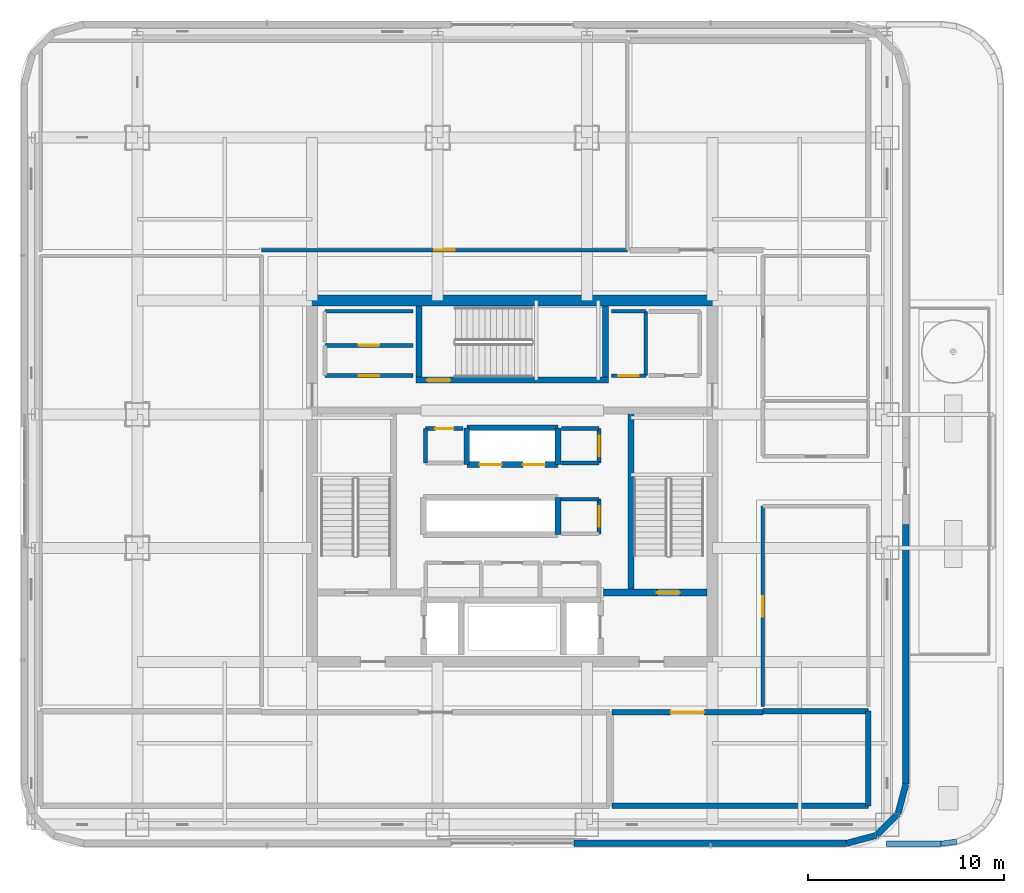
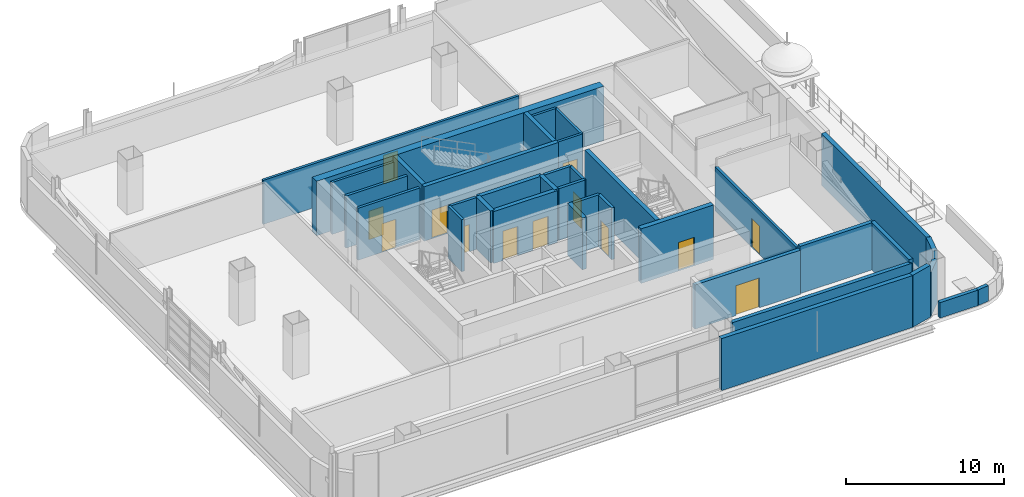
# One storey, part 13 of 31: 37 walls, 13 doors, 13 openings.
"""IFC4 building model written with IfcOpenShell, lengths in metres."""

from ifc_helpers import new_model, si_unit, direction, frame, frame_2d, origin, place, context, subcontext, project, spatial, rectangle, extrude, material, layer, layer_set, type_object, element, fill, save


model = new_model("IFC4")

# Units and contexts
model_context = context("Model", 3, precision=1e-05, world=origin(), true_north=direction((0.0, 1.0)))
body_context = subcontext(model_context, "Body", "Model", "MODEL_VIEW")
ifc_project = project(units=[si_unit("LENGTHUNIT", "METRE"), si_unit("AREAUNIT", "SQUARE_METRE"), si_unit("VOLUMEUNIT", "CUBIC_METRE"), si_unit("PLANEANGLEUNIT", "RADIAN"), si_unit("MASSUNIT", "GRAM", prefix="KILO")], contexts=[model_context])

# Site, building, storey
site_placement = place(None, origin())
site = spatial("IfcSite", under=ifc_project, at=site_placement, CompositionType="ELEMENT")
building_placement = place(site_placement, origin())
building = spatial("IfcBuilding", under=site, at=building_placement, Name="Punatoya Terracotta Tower", CompositionType="ELEMENT")
storey_placement = place(building_placement, frame((0.0, 0.0, 283.800048828125)))
storey = spatial("IfcBuildingStorey", under=building, at=storey_placement, Name="L67", CompositionType="ELEMENT", Elevation=283.800048828125)

# Walls
ifc_material_1 = material(Name="Concrete C40/50", Category="concrete")
ifc_layer_1 = layer(ifc_material_1, 0.280029296875)
ifc_layer_set_1 = layer_set([ifc_layer_1], Name="Concrete C40/50")
wall_type_1 = type_object("IfcWallType", Name="WL-AUD-280", PredefinedType="SOLIDWALL", material=ifc_layer_set_1)
wall_1_placement = place(storey_placement, frame((12.77001953125, -11.7099609375, 0.0), z_axis=(0.0, 0.0, 1.0), x_axis=(1.0, 0.0, 0.0)))
element("IfcWall", 1, at=wall_1_placement, inside=storey, type_object=wall_type_1, Name="L67 Executive Bistro Lounge Partition 33", PredefinedType="SOLIDWALL", context=body_context, shape_type="SweptSolid", body=[
    extrude(rectangle(XDim=5.369873046875, YDim=0.280029296875, at=frame_2d((2.68505859375, 0.0))), origin(), (0.0, 0.0, 1.0), 3.634033203125),
])
wall_2_placement = place(storey_placement, frame((18.139892578125, -11.7099609375, 0.0), z_axis=(0.0, 0.0, 1.0), x_axis=(0.0, -1.0, 0.0)))
element("IfcWall", 2, at=wall_2_placement, inside=storey, type_object=wall_type_1, Name="L67 Executive Bistro Lounge Partition 34", PredefinedType="SOLIDWALL", context=body_context, shape_type="SweptSolid", body=[
    extrude(rectangle(XDim=4.830078125, YDim=0.280029296875, at=frame_2d((2.4150390625, 0.0))), origin(), (0.0, 0.0, 1.0), 3.634033203125),
])
wall_3_placement = place(storey_placement, frame((18.139892578125, -16.5400390625, 0.0), z_axis=(0.0, 0.0, 1.0), x_axis=(-1.0, 0.0, 0.0)))
element("IfcWall", 3, at=wall_3_placement, inside=storey, type_object=wall_type_1, Name="L67 Executive Bistro Lounge Partition 35", PredefinedType="SOLIDWALL", context=body_context, shape_type="SweptSolid", body=[
    extrude(rectangle(XDim=13.07177734375, YDim=0.280029296875, at=frame_2d((6.535888671875, 0.0))), origin(), (0.0, 0.0, 1.0), 3.39404296875),
])

# Wall, opening, door
wall_4_placement = place(storey_placement, frame((5.068115234375, -11.77001953125, 0.0), z_axis=(0.0, 0.0, 1.0), x_axis=(1.0, 0.0, 0.0)))
wall_4 = element("IfcWall", 4, at=wall_4_placement, inside=storey, type_object=wall_type_1, Name="L67 Executive Bistro Lounge Partition 36", PredefinedType="SOLIDWALL", context=body_context, shape_type="SweptSolid", body=[
    extrude(rectangle(XDim=7.701904296875, YDim=0.280029296875, at=frame_2d((3.85107421875, 0.0))), origin(), (0.0, 0.0, 1.0), 3.39404296875),
])
opening_1_placement = place(wall_4_placement, frame((3.0009765625, 0.0, 0.0)))
opening_1 = element("IfcOpeningElement", 5, at=opening_1_placement, cuts=wall_4, Name="Opening FD-D1", PredefinedType="OPENING", context=body_context, shape_type="SweptSolid", body=[
    extrude(rectangle(XDim=1.699951171875, YDim=2.300048828125, at=frame_2d((0.85009765625, 1.14990234375))), frame((0.0, 0.14990234375, 0.0), z_axis=(0.0, -1.0, 0.0), x_axis=(1.0, 0.0, 0.0)), (0.0, 0.0, 1.0), 0.300048828125),
])
ifc_material_2 = material(Name="Timber Teak Veneer Fire Leaf", Category="wood")
door_type_1 = type_object("IfcDoorType", Name="DR-DIN-1700", OperationType="NOTDEFINED", PredefinedType="DOOR", material=ifc_material_2)
door_1_placement = place(opening_1_placement, origin())
door_1 = element("IfcDoor", 6, at=door_1_placement, inside=storey, type_object=door_type_1, Name="L67 Executive Bistro Lounge Fire Door", OperationType="DOUBLE_DOOR_SINGLE_SWING", OverallHeight=2.300048828125, OverallWidth=1.699951171875, PredefinedType="DOOR", context=body_context, shape_type="SweptSolid", body=[
    extrude(rectangle(XDim=1.699951171875, YDim=2.300048828125, at=frame_2d((0.85009765625, 1.14990234375))), frame((0.0, 0.02490234375, 0.0), z_axis=(0.0, -1.0, 0.0), x_axis=(1.0, 0.0, 0.0)), (0.0, 0.0, 1.0), 0.050048828125),
])
fill(opening_1, door_1)

# Walls
ifc_material_3 = material(Name="Concrete C50/60", Category="concrete")
ifc_layer_2 = layer(ifc_material_3, 0.550048828125)
ifc_layer_set_2 = layer_set([ifc_layer_2], Name="Concrete C50/60")
wall_type_2 = type_object("IfcWallType", Name="WL-COR-550", PredefinedType="SHEAR", material=ifc_layer_set_2)
wall_5_placement = place(storey_placement, frame((-10.47509765625, 9.199951171875, 0.0), z_axis=(0.0, 0.0, 1.0), x_axis=(1.0, 0.0, 0.0)))
element("IfcWall", 7, at=wall_5_placement, inside=storey, type_object=wall_type_2, Name="L67 Core Shear Wall N", PredefinedType="SHEAR", context=body_context, shape_type="SweptSolid", body=[
    extrude(rectangle(XDim=20.9501953125, YDim=0.550048828125, at=frame_2d((10.47509765625, 0.0))), origin(), (0.0, 0.0, 1.0), 4.199951171875),
])
ifc_material_4 = material(Name="Gypsum Fireboard + Steel Stud", Category="steel")
ifc_layer_3 = layer(ifc_material_4, 0.179931640625)
ifc_layer_set_3 = layer_set([ifc_layer_3], Name="Gypsum Fireboard + Steel Stud")
wall_type_3 = type_object("IfcWallType", Name="WL-CORR-180", PredefinedType="PARTITIONING", material=ifc_layer_set_3)
wall_6_placement = place(storey_placement, frame((-5.050048828125, 8.64990234375, 0.0), z_axis=(0.0, 0.0, 1.0), x_axis=(-1.0, 0.0, 0.0)))
element("IfcWall", 8, at=wall_6_placement, inside=storey, type_object=wall_type_3, Name="L67 West Core Copy Room Partition 20", PredefinedType="PARTITIONING", context=body_context, shape_type="SweptSolid", body=[
    extrude(rectangle(XDim=4.5, YDim=0.179931640625, at=frame_2d((2.25, 0.0))), origin(), (0.0, 0.0, 1.0), 4.0),
])
wall_7_placement = place(storey_placement, frame((6.800048828125, 5.3798828125, 0.0), z_axis=(0.0, 0.0, 1.0), x_axis=(0.0, 1.0, 0.0)))
element("IfcWall", 9, at=wall_7_placement, inside=storey, type_object=wall_type_3, Name="L67 East Core Focus Office Partition 22", PredefinedType="PARTITIONING", context=body_context, shape_type="SweptSolid", body=[
    extrude(rectangle(XDim=3.27001953125, YDim=0.179931640625, at=frame_2d((1.635009765625, 0.0))), origin(), (0.0, 0.0, 1.0), 4.0),
])
wall_8_placement = place(storey_placement, frame((6.800048828125, 8.64990234375, 0.0), z_axis=(0.0, 0.0, 1.0), x_axis=(-1.0, 0.0, 0.0)))
element("IfcWall", 10, at=wall_8_placement, inside=storey, type_object=wall_type_3, Name="L67 East Core Focus Office Partition 23", PredefinedType="PARTITIONING", context=body_context, shape_type="SweptSolid", body=[
    extrude(rectangle(XDim=1.75, YDim=0.179931640625, at=frame_2d((0.875, 0.0))), origin(), (0.0, 0.0, 1.0), 4.0),
])

# Wall, opening, door
wall_9_placement = place(storey_placement, frame((5.050048828125, 5.3798828125, 0.0), z_axis=(0.0, 0.0, 1.0), x_axis=(1.0, 0.0, 0.0)))
wall_9 = element("IfcWall", 11, at=wall_9_placement, inside=storey, type_object=wall_type_3, Name="L67 East Core Focus Office Partition 24", PredefinedType="PARTITIONING", context=body_context, shape_type="SweptSolid", body=[
    extrude(rectangle(XDim=1.75, YDim=0.179931640625, at=frame_2d((0.875, 0.0))), origin(), (0.0, 0.0, 1.0), 4.0),
])
opening_2_placement = place(wall_9_placement, frame((0.35009765625, 0.0, 0.0)))
opening_2 = element("IfcOpeningElement", 12, at=opening_2_placement, cuts=wall_9, Name="Opening OD-01", PredefinedType="OPENING", context=body_context, shape_type="SweptSolid", body=[
    extrude(rectangle(XDim=1.050048828125, YDim=2.199951171875, at=frame_2d((0.52490234375, 1.10009765625))), frame((0.0, 0.099853515625, 0.0), z_axis=(0.0, -1.0, 0.0), x_axis=(1.0, 0.0, 0.0)), (0.0, 0.0, 1.0), 0.199951171875),
])
ifc_material_5 = material(Name="Bengal Teak Solid-Core Leaf")
door_type_2 = type_object("IfcDoorType", Name="DR-OFF-1050", OperationType="NOTDEFINED", PredefinedType="DOOR", material=ifc_material_5)
door_2_placement = place(opening_2_placement, origin())
door_2 = element("IfcDoor", 13, at=door_2_placement, inside=storey, type_object=door_type_2, Name="L67 East Focus Office Door", OperationType="SINGLE_SWING_LEFT", OverallHeight=2.199951171875, OverallWidth=1.050048828125, PredefinedType="DOOR", context=body_context, shape_type="SweptSolid", body=[
    extrude(rectangle(XDim=1.050048828125, YDim=2.199951171875, at=frame_2d((0.52490234375, 1.10009765625))), frame((0.0, 0.02490234375, 0.0), z_axis=(0.0, -1.0, 0.0), x_axis=(1.0, 0.0, 0.0)), (0.0, 0.0, 1.0), 0.050048828125),
])
fill(opening_2, door_2)

wall_10_placement = place(storey_placement, frame((12.77001953125, -11.489990234375, 0.0), z_axis=(0.0, 0.0, 1.0), x_axis=(0.0, 1.0, 0.0)))
wall_10 = element("IfcWall", 14, at=wall_10_placement, inside=storey, type_object=wall_type_3, Name="L67 Catering Tea Pantry Partition 37", PredefinedType="PARTITIONING", context=body_context, shape_type="SweptSolid", body=[
    extrude(rectangle(XDim=10.219970703125, YDim=0.179931640625, at=frame_2d((5.10986328125, 0.0))), origin(), (0.0, 0.0, 1.0), 3.39404296875),
])
opening_3_placement = place(wall_10_placement, frame((4.5849609375, 0.0, 0.0)))
opening_3 = element("IfcOpeningElement", 15, at=opening_3_placement, cuts=wall_10, Name="Opening OD-01", PredefinedType="OPENING", context=body_context, shape_type="SweptSolid", body=[
    extrude(rectangle(XDim=1.050048828125, YDim=2.199951171875, at=frame_2d((0.52490234375, 1.10009765625))), frame((0.0, 0.099853515625, 0.0), z_axis=(0.0, -1.0, 0.0), x_axis=(1.0, 0.0, 0.0)), (0.0, 0.0, 1.0), 0.199951171875),
])
door_3_placement = place(opening_3_placement, origin())
door_3 = element("IfcDoor", 16, at=door_3_placement, inside=storey, type_object=door_type_2, Name="L67 Catering Tea Pantry Door", OperationType="SINGLE_SWING_LEFT", OverallHeight=2.199951171875, OverallWidth=1.050048828125, PredefinedType="DOOR", context=body_context, shape_type="SweptSolid", body=[
    extrude(rectangle(XDim=1.050048828125, YDim=2.199951171875, at=frame_2d((0.52490234375, 1.10009765625))), frame((0.0, 0.02490234375, 0.0), z_axis=(0.0, -1.0, 0.0), x_axis=(1.0, 0.0, 0.0)), (0.0, 0.0, 1.0), 0.050048828125),
])
fill(opening_3, door_3)

wall_11_placement = place(storey_placement, frame((5.8740234375, 11.77001953125, 0.0), z_axis=(0.0, 0.0, 1.0), x_axis=(-1.0, 0.0, 0.0)))
wall_11 = element("IfcWall", 17, at=wall_11_placement, inside=storey, type_object=wall_type_3, Name="L67 Barista Espresso Pantry Partition 51", PredefinedType="PARTITIONING", context=body_context, shape_type="SweptSolid", body=[
    extrude(rectangle(XDim=18.64404296875, YDim=0.179931640625, at=frame_2d((9.322021484375, 0.0))), origin(), (0.0, 0.0, 1.0), 3.39404296875),
])
opening_4_placement = place(wall_11_placement, frame((8.797119140625, 0.0, 0.0)))
opening_4 = element("IfcOpeningElement", 18, at=opening_4_placement, cuts=wall_11, Name="Opening OD-01", PredefinedType="OPENING", context=body_context, shape_type="SweptSolid", body=[
    extrude(rectangle(XDim=1.050048828125, YDim=2.199951171875, at=frame_2d((0.52490234375, 1.10009765625))), frame((0.0, 0.099853515625, 0.0), z_axis=(0.0, -1.0, 0.0), x_axis=(1.0, 0.0, 0.0)), (0.0, 0.0, 1.0), 0.199951171875),
])
door_4_placement = place(opening_4_placement, origin())
door_4 = element("IfcDoor", 19, at=door_4_placement, inside=storey, type_object=door_type_2, Name="L67 Barista Espresso Pantry Door", OperationType="SINGLE_SWING_LEFT", OverallHeight=2.199951171875, OverallWidth=1.050048828125, PredefinedType="DOOR", context=body_context, shape_type="SweptSolid", body=[
    extrude(rectangle(XDim=1.050048828125, YDim=2.199951171875, at=frame_2d((0.52490234375, 1.10009765625))), frame((0.0, 0.02490234375, 0.0), z_axis=(0.0, -1.0, 0.0), x_axis=(1.0, 0.0, 0.0)), (0.0, 0.0, 1.0), 0.050048828125),
])
fill(opening_4, door_4)

# Walls
ifc_material_6 = material(Name="Precast concrete C40/50", Category="concrete")
ifc_layer_4 = layer(ifc_material_6, 0.320068359375)
ifc_layer_set_4 = layer_set([ifc_layer_4], Name="Precast concrete C40/50")
wall_type_4 = type_object("IfcWallType", Name="WL-EXT-320", PredefinedType="SOLIDWALL", material=ifc_layer_set_4)
wall_12_placement = place(storey_placement, frame((3.14990234375, -18.449951171875, 0.0), z_axis=(0.0, 0.0, 1.0), x_axis=(1.0, 0.0, 0.0)))
element("IfcWall", 20, at=wall_12_placement, inside=storey, type_object=wall_type_4, Name="L67 Terracotta Braced Facade Wall S2", PredefinedType="SOLIDWALL", context=body_context, shape_type="SweptSolid", body=[
    extrude(rectangle(XDim=13.886962890625, YDim=0.320068359375, at=frame_2d((6.943359375, 0.0))), origin(), (0.0, 0.0, 1.0), 4.0),
])
wall_13_placement = place(storey_placement, frame((17.036865234375, -18.449951171875, 0.0), z_axis=(0.0, 0.0, 1.0), x_axis=(0.966224582397, 0.257701486942, 0.0)))
element("IfcWall", 21, at=wall_13_placement, inside=storey, type_object=wall_type_4, Name="L67 Rounded Terracotta Corner Pier 02", PredefinedType="SOLIDWALL", context=body_context, shape_type="SweptSolid", body=[
    extrude(rectangle(XDim=1.565185546875, YDim=0.320068359375, at=frame_2d((0.78271484375, 0.0))), origin(), (0.0, 0.0, 1.0), 4.0),
])
wall_14_placement = place(storey_placement, frame((18.549072265625, -18.046630859375, 0.0), z_axis=(0.0, 0.0, 1.0), x_axis=(0.707106781187, 0.707106781187, 0.0)))
element("IfcWall", 22, at=wall_14_placement, inside=storey, type_object=wall_type_4, Name="L67 Rounded Terracotta Corner Pier 03", PredefinedType="SOLIDWALL", context=body_context, shape_type="SweptSolid", body=[
    extrude(rectangle(XDim=1.552001953125, YDim=0.320068359375, at=frame_2d((0.77587890625, 0.0))), origin(), (0.0, 0.0, 1.0), 3.39404296875),
])
wall_15_placement = place(storey_placement, frame((19.646484375, -16.94921875, 0.0), z_axis=(0.0, 0.0, 1.0), x_axis=(0.257847112249, 0.966185730957, 0.0)))
element("IfcWall", 23, at=wall_15_placement, inside=storey, type_object=wall_type_4, Name="L67 Rounded Terracotta Corner Pier 04", PredefinedType="SOLIDWALL", context=body_context, shape_type="SweptSolid", body=[
    extrude(rectangle(XDim=1.565185546875, YDim=0.320068359375, at=frame_2d((0.78271484375, 0.0))), origin(), (0.0, 0.0, 1.0), 4.0),
])
wall_16_placement = place(storey_placement, frame((20.050048828125, -15.43701171875, 0.0), z_axis=(0.0, 0.0, 1.0), x_axis=(0.0, 1.0, 0.0)))
element("IfcWall", 24, at=wall_16_placement, inside=storey, type_object=wall_type_4, Name="L67 Terracotta Braced Facade Wall E", PredefinedType="SOLIDWALL", context=body_context, shape_type="SweptSolid", body=[
    extrude(rectangle(XDim=13.237060546875, YDim=0.320068359375, at=frame_2d((6.61865234375, 0.0))), origin(), (0.0, 0.0, 1.0), 4.0),
])

# Wall, opening, door
ifc_layer_5 = layer(ifc_material_1, 0.199951171875)
ifc_layer_set_5 = layer_set([ifc_layer_5], Name="Concrete C40/50")
wall_type_5 = type_object("IfcWallType", Name="WL-INT-200", PredefinedType="SOLIDWALL", material=ifc_layer_set_5)
wall_17_placement = place(storey_placement, frame((4.419921875, -2.679931640625, 0.0), z_axis=(0.0, 0.0, 1.0), x_axis=(0.0, 1.0, 0.0)))
wall_17 = element("IfcWall", 25, at=wall_17_placement, inside=storey, type_object=wall_type_5, Name="L67 East Core Tea Pantry Partition 08", PredefinedType="SOLIDWALL", context=body_context, shape_type="SweptSolid", body=[
    extrude(rectangle(XDim=1.760009765625, YDim=0.199951171875, at=frame_2d((0.8798828125, 0.0))), origin(), (0.0, 0.0, 1.0), 4.0),
])
opening_5_placement = place(wall_17_placement, frame((0.35498046875, 0.0, 0.0)))
opening_5 = element("IfcOpeningElement", 26, at=opening_5_placement, cuts=wall_17, Name="Opening OD-01", PredefinedType="OPENING", context=body_context, shape_type="SweptSolid", body=[
    extrude(rectangle(XDim=1.050048828125, YDim=2.199951171875, at=frame_2d((0.52490234375, 1.10009765625))), frame((0.0, 0.10986328125, 0.0), z_axis=(0.0, -1.0, 0.0), x_axis=(1.0, 0.0, 0.0)), (0.0, 0.0, 1.0), 0.219970703125),
])
door_5_placement = place(opening_5_placement, origin())
door_5 = element("IfcDoor", 27, at=door_5_placement, inside=storey, type_object=door_type_2, Name="L67 East Tea Pantry Door", OperationType="SINGLE_SWING_RIGHT", OverallHeight=2.199951171875, OverallWidth=1.050048828125, PredefinedType="DOOR", context=body_context, shape_type="SweptSolid", body=[
    extrude(rectangle(XDim=1.050048828125, YDim=2.199951171875, at=frame_2d((0.52490234375, 1.10009765625))), frame((0.0, 0.02490234375, 0.0), z_axis=(0.0, -1.0, 0.0), x_axis=(1.0, 0.0, 0.0)), (0.0, 0.0, 1.0), 0.050048828125),
])
fill(opening_5, door_5)

# Wall
wall_18_placement = place(storey_placement, frame((4.419921875, -0.919921875, 0.0), z_axis=(0.0, 0.0, 1.0), x_axis=(-1.0, 0.0, 0.0)))
element("IfcWall", 28, at=wall_18_placement, inside=storey, type_object=wall_type_5, Name="L67 East Core Tea Pantry Partition 09", PredefinedType="SOLIDWALL", context=body_context, shape_type="SweptSolid", body=[
    extrude(rectangle(XDim=1.93994140625, YDim=0.199951171875, at=frame_2d((0.969970703125, 0.0))), origin(), (0.0, 0.0, 1.0), 4.0),
])

# Wall, opening, door
wall_19_placement = place(storey_placement, frame((-2.5, 2.679931640625, 0.0), z_axis=(0.0, 0.0, 1.0), x_axis=(-1.0, 0.0, 0.0)))
wall_19 = element("IfcWall", 29, at=wall_19_placement, inside=storey, type_object=wall_type_5, Name="L67 Core Security Equipment Closet Partition 11", PredefinedType="SOLIDWALL", context=body_context, shape_type="SweptSolid", body=[
    extrude(rectangle(XDim=1.919921875, YDim=0.199951171875, at=frame_2d((0.9599609375, 0.0))), origin(), (0.0, 0.0, 1.0), 4.0),
])
opening_6_placement = place(wall_19_placement, frame((0.5, 0.0, 0.0)))
opening_6 = element("IfcOpeningElement", 30, at=opening_6_placement, cuts=wall_19, Name="Opening FD-R1", PredefinedType="OPENING", context=body_context, shape_type="SweptSolid", body=[
    extrude(rectangle(XDim=0.919921875, YDim=2.10009765625, at=frame_2d((0.4599609375, 1.050048828125))), frame((0.0, 0.10986328125, 0.0), z_axis=(0.0, -1.0, 0.0), x_axis=(1.0, 0.0, 0.0)), (0.0, 0.0, 1.0), 0.219970703125),
])
ifc_material_7 = material(Name="Galvanised Steel Riser Fire Access Door", Category="steel")
door_type_3 = type_object("IfcDoorType", Name="DR-RSR-920", OperationType="NOTDEFINED", PredefinedType="DOOR", material=ifc_material_7)
door_6_placement = place(opening_6_placement, origin())
door_6 = element("IfcDoor", 31, at=door_6_placement, inside=storey, type_object=door_type_3, Name="L67 Core Security Equipment Closet Fire Door", OperationType="SINGLE_SWING_LEFT", OverallHeight=2.10009765625, OverallWidth=0.919921875, PredefinedType="DOOR", context=body_context, shape_type="SweptSolid", body=[
    extrude(rectangle(XDim=0.919921875, YDim=2.10009765625, at=frame_2d((0.4599609375, 1.050048828125))), frame((0.0, 0.02490234375, 0.0), z_axis=(0.0, -1.0, 0.0), x_axis=(1.0, 0.0, 0.0)), (0.0, 0.0, 1.0), 0.050048828125),
])
fill(opening_6, door_6)

# Wall
wall_20_placement = place(storey_placement, frame((-4.419921875, 2.679931640625, 0.0), z_axis=(0.0, 0.0, 1.0), x_axis=(0.0, -1.0, 0.0)))
element("IfcWall", 32, at=wall_20_placement, inside=storey, type_object=wall_type_5, Name="L67 Core Security Equipment Closet Partition 12", PredefinedType="SOLIDWALL", context=body_context, shape_type="SweptSolid", body=[
    extrude(rectangle(XDim=1.760009765625, YDim=0.199951171875, at=frame_2d((0.8798828125, 0.0))), origin(), (0.0, 0.0, 1.0), 4.0),
])

# Wall, opening, door
wall_21_placement = place(storey_placement, frame((4.419921875, 0.919921875, 0.0), z_axis=(0.0, 0.0, 1.0), x_axis=(0.0, 1.0, 0.0)))
wall_21 = element("IfcWall", 33, at=wall_21_placement, inside=storey, type_object=wall_type_5, Name="L67 Executive Steward Pantry Partition 14", PredefinedType="SOLIDWALL", context=body_context, shape_type="SweptSolid", body=[
    extrude(rectangle(XDim=1.760009765625, YDim=0.199951171875, at=frame_2d((0.8798828125, 0.0))), origin(), (0.0, 0.0, 1.0), 4.0),
])
opening_7_placement = place(wall_21_placement, frame((0.35498046875, 0.0, 0.0)))
opening_7 = element("IfcOpeningElement", 34, at=opening_7_placement, cuts=wall_21, Name="Opening OD-01", PredefinedType="OPENING", context=body_context, shape_type="SweptSolid", body=[
    extrude(rectangle(XDim=1.050048828125, YDim=2.199951171875, at=frame_2d((0.52490234375, 1.10009765625))), frame((0.0, 0.10986328125, 0.0), z_axis=(0.0, -1.0, 0.0), x_axis=(1.0, 0.0, 0.0)), (0.0, 0.0, 1.0), 0.219970703125),
])
door_7_placement = place(opening_7_placement, origin())
door_7 = element("IfcDoor", 35, at=door_7_placement, inside=storey, type_object=door_type_2, Name="L67 Executive Steward Pantry Door", OperationType="SINGLE_SWING_RIGHT", OverallHeight=2.199951171875, OverallWidth=1.050048828125, PredefinedType="DOOR", context=body_context, shape_type="SweptSolid", body=[
    extrude(rectangle(XDim=1.050048828125, YDim=2.199951171875, at=frame_2d((0.52490234375, 1.10009765625))), frame((0.0, 0.02490234375, 0.0), z_axis=(0.0, -1.0, 0.0), x_axis=(1.0, 0.0, 0.0)), (0.0, 0.0, 1.0), 0.050048828125),
])
fill(opening_7, door_7)

# Walls
for number, where, z_axis, x_axis, name in (
    (36, (4.419921875, 2.679931640625, 0.0), (0.0, 0.0, 1.0), (-1.0, 0.0, 0.0), "L67 Executive Steward Pantry Partition 15"),
    (37, (2.5, 0.919921875, 0.0), (0.0, 0.0, 1.0), (1.0, 0.0, 0.0), "L67 Executive Steward Pantry Partition 16"),
):
    element("IfcWall", number, at=place(storey_placement, frame(where, z_axis=z_axis, x_axis=x_axis)), inside=storey, type_object=wall_type_5, Name=name, PredefinedType="SOLIDWALL", context=body_context, shape_type="SweptSolid", body=[
        extrude(rectangle(XDim=1.919921875, YDim=0.199951171875, at=frame_2d((0.9599609375, 0.0))), origin(), (0.0, 0.0, 1.0), 4.0),
    ])

# Wall, opening, door
wall_22_placement = place(storey_placement, frame((-5.050048828125, 6.919921875, 0.0), z_axis=(0.0, 0.0, 1.0), x_axis=(-1.0, 0.0, 0.0)))
wall_22 = element("IfcWall", 38, at=wall_22_placement, inside=storey, type_object=wall_type_5, Name="L67 West Core Tea Pantry Partition 17", PredefinedType="SOLIDWALL", context=body_context, shape_type="SweptSolid", body=[
    extrude(rectangle(XDim=4.5, YDim=0.199951171875, at=frame_2d((2.25, 0.0))), origin(), (0.0, 0.0, 1.0), 4.0),
])
opening_8_placement = place(wall_22_placement, frame((1.72509765625, 0.0, 0.0)))
opening_8 = element("IfcOpeningElement", 39, at=opening_8_placement, cuts=wall_22, Name="Opening OD-01", PredefinedType="OPENING", context=body_context, shape_type="SweptSolid", body=[
    extrude(rectangle(XDim=1.050048828125, YDim=2.199951171875, at=frame_2d((0.52490234375, 1.10009765625))), frame((0.0, 0.10986328125, 0.0), z_axis=(0.0, -1.0, 0.0), x_axis=(1.0, 0.0, 0.0)), (0.0, 0.0, 1.0), 0.219970703125),
])
door_8_placement = place(opening_8_placement, origin())
door_8 = element("IfcDoor", 40, at=door_8_placement, inside=storey, type_object=door_type_2, Name="L67 West Copy Room Door", OperationType="SINGLE_SWING_RIGHT", OverallHeight=2.199951171875, OverallWidth=1.050048828125, PredefinedType="DOOR", context=body_context, shape_type="SweptSolid", body=[
    extrude(rectangle(XDim=1.050048828125, YDim=2.199951171875, at=frame_2d((0.52490234375, 1.10009765625))), frame((0.0, 0.02490234375, 0.0), z_axis=(0.0, -1.0, 0.0), x_axis=(1.0, 0.0, 0.0)), (0.0, 0.0, 1.0), 0.050048828125),
])
fill(opening_8, door_8)

wall_23_placement = place(storey_placement, frame((-9.550048828125, 5.3798828125, 0.0), z_axis=(0.0, 0.0, 1.0), x_axis=(1.0, 0.0, 0.0)))
wall_23 = element("IfcWall", 41, at=wall_23_placement, inside=storey, type_object=wall_type_5, Name="L67 West Core Tea Pantry Partition 19", PredefinedType="SOLIDWALL", context=body_context, shape_type="SweptSolid", body=[
    extrude(rectangle(XDim=4.5, YDim=0.199951171875, at=frame_2d((2.25, 0.0))), origin(), (0.0, 0.0, 1.0), 4.0),
])
opening_9_placement = place(wall_23_placement, frame((1.72509765625, 0.0, 0.0)))
opening_9 = element("IfcOpeningElement", 42, at=opening_9_placement, cuts=wall_23, Name="Opening OD-01", PredefinedType="OPENING", context=body_context, shape_type="SweptSolid", body=[
    extrude(rectangle(XDim=1.050048828125, YDim=2.199951171875, at=frame_2d((0.52490234375, 1.10009765625))), frame((0.0, 0.10986328125, 0.0), z_axis=(0.0, -1.0, 0.0), x_axis=(1.0, 0.0, 0.0)), (0.0, 0.0, 1.0), 0.219970703125),
])
door_9_placement = place(opening_9_placement, origin())
door_9 = element("IfcDoor", 43, at=door_9_placement, inside=storey, type_object=door_type_2, Name="L67 West Tea Pantry Door", OperationType="SINGLE_SWING_LEFT", OverallHeight=2.199951171875, OverallWidth=1.050048828125, PredefinedType="DOOR", context=body_context, shape_type="SweptSolid", body=[
    extrude(rectangle(XDim=1.050048828125, YDim=2.199951171875, at=frame_2d((0.52490234375, 1.10009765625))), frame((0.0, 0.02490234375, 0.0), z_axis=(0.0, -1.0, 0.0), x_axis=(1.0, 0.0, 0.0)), (0.0, 0.0, 1.0), 0.050048828125),
])
fill(opening_9, door_9)

# Walls
ifc_layer_6 = layer(ifc_material_6, 0.260009765625)
ifc_layer_set_6 = layer_set([ifc_layer_6], Name="Precast concrete C40/50")
wall_type_6 = type_object("IfcWallType", Name="WL-PAR-260", PredefinedType="PARAPET", material=ifc_layer_set_6)
wall_24_placement = place(storey_placement, frame((21.838134765625, -18.469970703125, 0.0), z_axis=(0.0, 0.0, 1.0), x_axis=(0.991429342672, 0.130644014367, 0.0)))
element("IfcWall", 44, at=wall_24_placement, inside=storey, type_object=wall_type_6, Name="L67 Roof Parapet Wall PAR-L67-RF-01", PredefinedType="PARAPET", context=body_context, shape_type="SweptSolid", body=[
    extrude(rectangle(XDim=0.7998046875, YDim=0.260009765625, at=frame_2d((0.39990234375, 0.0))), origin(), (0.0, 0.0, 1.0), 1.199951171875),
])
wall_25_placement = place(storey_placement, frame((19.065185546875, -18.469970703125, 0.0), z_axis=(0.0, 0.0, 1.0), x_axis=(1.0, 0.0, 0.0)))
element("IfcWall", 45, at=wall_25_placement, inside=storey, type_object=wall_type_6, Name="L67 Roof Parapet Wall PAR-L67-RF-16", PredefinedType="PARAPET", context=body_context, shape_type="SweptSolid", body=[
    extrude(rectangle(XDim=2.77294921875, YDim=0.260009765625, at=frame_2d((1.386474609375, 0.0))), origin(), (0.0, 0.0, 1.0), 1.199951171875),
])
ifc_layer_7 = layer(ifc_material_1, 0.300048828125)
ifc_layer_set_7 = layer_set([ifc_layer_7], Name="Concrete C40/50")
wall_type_7 = type_object("IfcWallType", Name="WL-SHF-300", PredefinedType="SOLIDWALL", material=ifc_layer_set_7)
wall_26_placement = place(storey_placement, frame((6.050048828125, 3.449951171875, 0.0), z_axis=(0.0, 0.0, 1.0), x_axis=(0.0, -1.0, 0.0)))
element("IfcWall", 46, at=wall_26_placement, inside=storey, type_object=wall_type_7, Name="L67 Structural Stair Shaft Wall SW-ST2-W", PredefinedType="SOLIDWALL", context=body_context, shape_type="SweptSolid", body=[
    extrude(rectangle(XDim=8.949951171875, YDim=0.300048828125, at=frame_2d((4.47509765625, 0.0))), origin(), (0.0, 0.0, 1.0), 4.199951171875),
])
for number, where, z_axis, x_axis, name in (
    (47, (-4.75, 5.300048828125, 0.0), (0.0, 0.0, 1.0), (0.0, 1.0, 0.0), "L67 Structural Stair Shaft Wall SW-ST3-W"),
    (48, (4.75, 8.925048828125, 0.0), (0.0, 0.0, 1.0), (0.0, -1.0, 0.0), "L67 Structural Stair Shaft Wall SW-ST3-E"),
):
    element("IfcWall", number, at=place(storey_placement, frame(where, z_axis=z_axis, x_axis=x_axis)), inside=storey, type_object=wall_type_7, Name=name, PredefinedType="SOLIDWALL", context=body_context, shape_type="SweptSolid", body=[
        extrude(rectangle(XDim=3.625, YDim=0.300048828125, at=frame_2d((1.8125, 0.0))), origin(), (0.0, 0.0, 1.0), 4.199951171875),
    ])

# Wall, opening, door
wall_27_placement = place(storey_placement, frame((-4.89990234375, 5.14990234375, 0.0), z_axis=(0.0, 0.0, 1.0), x_axis=(1.0, 0.0, 0.0)))
wall_27 = element("IfcWall", 49, at=wall_27_placement, inside=storey, type_object=wall_type_7, Name="L67 Structural Stair Shaft Wall SW-ST3-S", PredefinedType="SOLIDWALL", context=body_context, shape_type="SweptSolid", body=[
    extrude(rectangle(XDim=9.7998046875, YDim=0.300048828125, at=frame_2d((4.89990234375, 0.0))), origin(), (0.0, 0.0, 1.0), 4.199951171875),
])
opening_10_placement = place(wall_27_placement, frame((0.56005859375, 0.0, 0.0)))
opening_10 = element("IfcOpeningElement", 50, at=opening_10_placement, cuts=wall_27, Name="Opening SD-01", PredefinedType="OPENING", context=body_context, shape_type="SweptSolid", body=[
    extrude(rectangle(XDim=1.179931640625, YDim=2.199951171875, at=frame_2d((0.58984375, 1.10009765625))), frame((0.0, 0.159912109375, 0.0), z_axis=(0.0, -1.0, 0.0), x_axis=(1.0, 0.0, 0.0)), (0.0, 0.0, 1.0), 0.320068359375),
])
ifc_material_8 = material(Name="Galvanised Steel Pressurized Stair Fire Door", Category="steel")
door_type_4 = type_object("IfcDoorType", Name="DR-STR-1180", OperationType="NOTDEFINED", PredefinedType="DOOR", material=ifc_material_8)
door_10_placement = place(opening_10_placement, origin())
door_10 = element("IfcDoor", 51, at=door_10_placement, inside=storey, type_object=door_type_4, Name="L67 Stair ST-3 Core Lobby Fire Door", OperationType="SINGLE_SWING_LEFT", OverallHeight=2.199951171875, OverallWidth=1.179931640625, PredefinedType="DOOR", context=body_context, shape_type="SweptSolid", body=[
    extrude(rectangle(XDim=1.179931640625, YDim=2.199951171875, at=frame_2d((0.58984375, 1.10009765625))), frame((0.0, 0.02490234375, 0.0), z_axis=(0.0, -1.0, 0.0), x_axis=(1.0, 0.0, 0.0)), (0.0, 0.0, 1.0), 0.050048828125),
])
fill(opening_10, door_10)

# Wall
wall_28_placement = place(storey_placement, frame((2.320068359375, -2.719970703125, 0.0), z_axis=(0.0, 0.0, 1.0), x_axis=(0.0, 1.0, 0.0)))
element("IfcWall", 52, at=wall_28_placement, inside=storey, type_object=wall_type_7, Name="L67 South Lift Bank East End Wall", PredefinedType="SOLIDWALL", context=body_context, shape_type="SweptSolid", body=[
    extrude(rectangle(XDim=1.8798828125, YDim=0.300048828125, at=frame_2d((0.93994140625, 0.0))), origin(), (0.0, 0.0, 1.0), 4.0),
])

# Wall, openings, doors
wall_29_placement = place(storey_placement, frame((-2.320068359375, 0.840087890625, 0.0), z_axis=(0.0, 0.0, 1.0), x_axis=(1.0, 0.0, 0.0)))
wall_29 = element("IfcWall", 53, at=wall_29_placement, inside=storey, type_object=wall_type_7, Name="L67 North Lift Bank Front Shaft Wall", PredefinedType="SOLIDWALL", context=body_context, shape_type="SweptSolid", body=[
    extrude(rectangle(XDim=4.64013671875, YDim=0.300048828125, at=frame_2d((2.320068359375, 0.0))), origin(), (0.0, 0.0, 1.0), 4.0),
])
opening_11_placement = place(wall_29_placement, frame((0.659912109375, 0.0, 0.0)))
opening_11 = element("IfcOpeningElement", 54, at=opening_11_placement, cuts=wall_29, Name="Opening LD-02", PredefinedType="OPENING", context=body_context, shape_type="SweptSolid", body=[
    extrude(rectangle(XDim=1.1201171875, YDim=2.25, at=frame_2d((0.56005859375, 1.125))), frame((0.0, 0.159912109375, 0.0), z_axis=(0.0, -1.0, 0.0), x_axis=(1.0, 0.0, 0.0)), (0.0, 0.0, 1.0), 0.320068359375),
])
opening_12_placement = place(wall_29_placement, frame((2.860107421875, 0.0, 0.0)))
opening_12 = element("IfcOpeningElement", 55, at=opening_12_placement, cuts=wall_29, Name="Opening LD-02", PredefinedType="OPENING", context=body_context, shape_type="SweptSolid", body=[
    extrude(rectangle(XDim=1.1201171875, YDim=2.25, at=frame_2d((0.56005859375, 1.125))), frame((0.0, 0.159912109375, 0.0), z_axis=(0.0, -1.0, 0.0), x_axis=(1.0, 0.0, 0.0)), (0.0, 0.0, 1.0), 0.320068359375),
])
ifc_material_9 = material(Name="Stainless Steel Lift Landing Door", Category="steel")
door_type_5 = type_object("IfcDoorType", Name="DR-LND-1120", OperationType="NOTDEFINED", PredefinedType="DOOR", material=ifc_material_9)
door_11_placement = place(opening_11_placement, origin())
door_11 = element("IfcDoor", 56, at=door_11_placement, inside=storey, type_object=door_type_5, Name="L67 Lift PL-E1 Sliding Landing Door", OperationType="DOUBLE_DOOR_SLIDING", OverallHeight=2.25, OverallWidth=1.1201171875, PredefinedType="DOOR", context=body_context, shape_type="SweptSolid", body=[
    extrude(rectangle(XDim=1.1201171875, YDim=2.25, at=frame_2d((0.56005859375, 1.125))), frame((0.0, 0.02490234375, 0.0), z_axis=(0.0, -1.0, 0.0), x_axis=(1.0, 0.0, 0.0)), (0.0, 0.0, 1.0), 0.050048828125),
])
fill(opening_11, door_11)
door_12_placement = place(opening_12_placement, origin())
door_12 = element("IfcDoor", 57, at=door_12_placement, inside=storey, type_object=door_type_5, Name="L67 Lift PL-E2 Sliding Landing Door", OperationType="DOUBLE_DOOR_SLIDING", OverallHeight=2.25, OverallWidth=1.1201171875, PredefinedType="DOOR", context=body_context, shape_type="SweptSolid", body=[
    extrude(rectangle(XDim=1.1201171875, YDim=2.25, at=frame_2d((0.56005859375, 1.125))), frame((0.0, 0.02490234375, 0.0), z_axis=(0.0, -1.0, 0.0), x_axis=(1.0, 0.0, 0.0)), (0.0, 0.0, 1.0), 0.050048828125),
])
fill(opening_12, door_12)

# Walls
wall_30_placement = place(storey_placement, frame((-2.320068359375, 2.719970703125, 0.0), z_axis=(0.0, 0.0, 1.0), x_axis=(1.0, 0.0, 0.0)))
element("IfcWall", 58, at=wall_30_placement, inside=storey, type_object=wall_type_7, Name="L67 North Lift Bank Rear Shaft Wall", PredefinedType="SOLIDWALL", context=body_context, shape_type="SweptSolid", body=[
    extrude(rectangle(XDim=4.64013671875, YDim=0.300048828125, at=frame_2d((2.320068359375, 0.0))), origin(), (0.0, 0.0, 1.0), 4.0),
])
for number, where, z_axis, x_axis, name in (
    (59, (-2.320068359375, 0.840087890625, 0.0), (0.0, 0.0, 1.0), (0.0, 1.0, 0.0), "L67 North Lift Bank West End Wall"),
    (60, (2.320068359375, 0.840087890625, 0.0), (0.0, 0.0, 1.0), (0.0, 1.0, 0.0), "L67 North Lift Bank East End Wall"),
):
    element("IfcWall", number, at=place(storey_placement, frame(where, z_axis=z_axis, x_axis=x_axis)), inside=storey, type_object=wall_type_7, Name=name, PredefinedType="SOLIDWALL", context=body_context, shape_type="SweptSolid", body=[
        extrude(rectangle(XDim=1.8798828125, YDim=0.300048828125, at=frame_2d((0.93994140625, 0.0))), origin(), (0.0, 0.0, 1.0), 4.0),
    ])

# Wall, opening, door
ifc_layer_8 = layer(ifc_material_3, 0.35009765625)
ifc_layer_set_8 = layer_set([ifc_layer_8], Name="Concrete C50/60")
wall_type_8 = type_object("IfcWallType", Name="WL-SHF-350", PredefinedType="SOLIDWALL", material=ifc_layer_set_8)
wall_31_placement = place(storey_placement, frame((4.64990234375, -5.679931640625, 0.0), z_axis=(0.0, 0.0, 1.0), x_axis=(1.0, 0.0, 0.0)))
wall_31 = element("IfcWall", 61, at=wall_31_placement, inside=storey, type_object=wall_type_8, Name="L67 Core Web Wall CSW-R", PredefinedType="SOLIDWALL", context=body_context, shape_type="SweptSolid", body=[
    extrude(rectangle(XDim=5.275146484375, YDim=0.35009765625, at=frame_2d((2.6376953125, 0.0))), origin(), (0.0, 0.0, 1.0), 4.199951171875),
])
opening_13_placement = place(wall_31_placement, frame((2.7099609375, 0.0, 0.0)))
opening_13 = element("IfcOpeningElement", 62, at=opening_13_placement, cuts=wall_31, Name="Opening SD-01", PredefinedType="OPENING", context=body_context, shape_type="SweptSolid", body=[
    extrude(rectangle(XDim=1.179931640625, YDim=2.199951171875, at=frame_2d((0.58984375, 1.10009765625))), frame((0.0, 0.18505859375, 0.0), z_axis=(0.0, -1.0, 0.0), x_axis=(1.0, 0.0, 0.0)), (0.0, 0.0, 1.0), 0.3701171875),
])
door_13_placement = place(opening_13_placement, origin())
door_13 = element("IfcDoor", 63, at=door_13_placement, inside=storey, type_object=door_type_4, Name="L67 Stair ST-2 Smokeproof Lobby Fire Door", OperationType="SINGLE_SWING_RIGHT", OverallHeight=2.199951171875, OverallWidth=1.179931640625, PredefinedType="DOOR", context=body_context, shape_type="SweptSolid", body=[
    extrude(rectangle(XDim=1.179931640625, YDim=2.199951171875, at=frame_2d((0.58984375, 1.10009765625))), frame((0.0, 0.02490234375, 0.0), z_axis=(0.0, -1.0, 0.0), x_axis=(1.0, 0.0, 0.0)), (0.0, 0.0, 1.0), 0.050048828125),
])
fill(opening_13, door_13)

save(model, "model.ifc")
